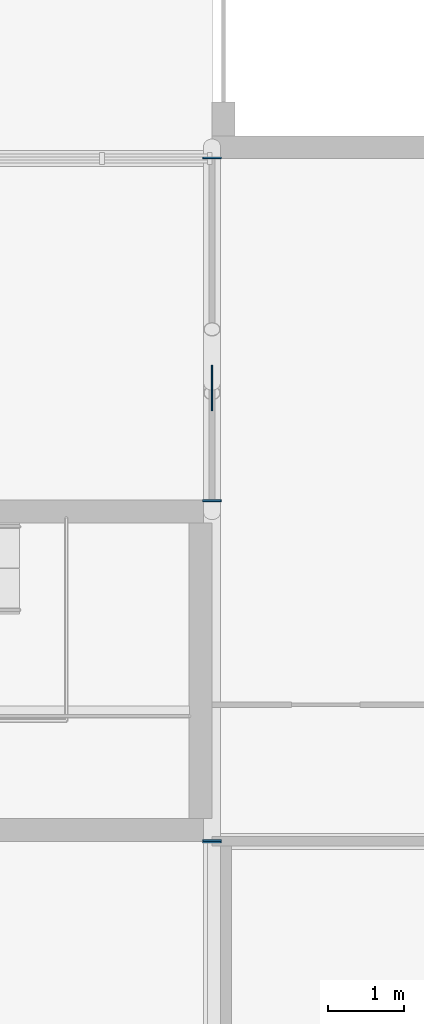
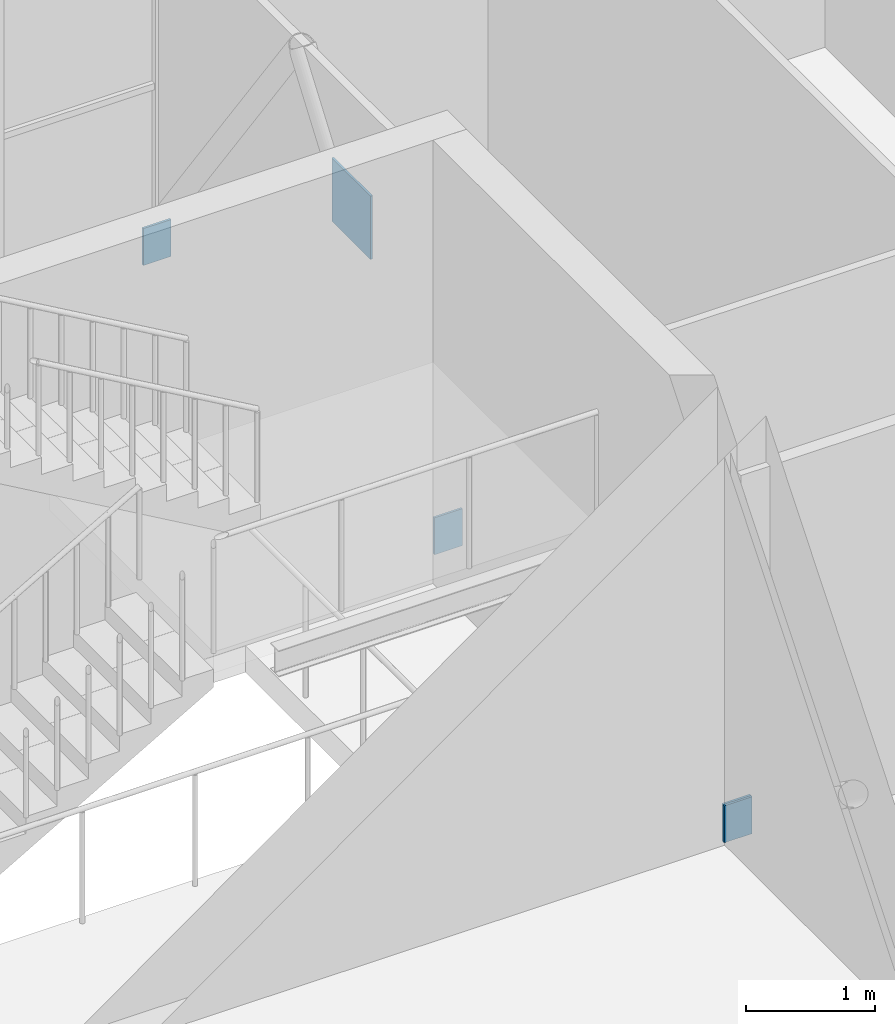
# One storey, part 42 of 57: 5 discrete accessories.
"""IFC4 building model written with IfcOpenShell, lengths in metres."""

from ifc_helpers import new_model, si_unit, direction, frame, origin, origin_2d, place, context, subcontext, project, spatial, rectangle, extrude, element, save


model = new_model("IFC4")

# Units and contexts
model_context = context("Model", 3, precision=1e-05, world=origin(), true_north=direction((0.0, 1.0)))
body_context = subcontext(model_context, "Body", "Model", "MODEL_VIEW")
ifc_project = project(units=[si_unit("LENGTHUNIT", "METRE"), si_unit("AREAUNIT", "SQUARE_METRE"), si_unit("VOLUMEUNIT", "CUBIC_METRE"), si_unit("PLANEANGLEUNIT", "RADIAN"), si_unit("MASSUNIT", "GRAM", prefix="KILO")], contexts=[model_context])

# Site, building, storey
site_placement = place(None, origin())
site = spatial("IfcSite", under=ifc_project, at=site_placement, CompositionType="ELEMENT")
building_placement = place(site_placement, origin())
building = spatial("IfcBuilding", under=site, at=building_placement, Name="Halyard Row Museum", CompositionType="ELEMENT")
storey_placement = place(building_placement, frame((0.0, 0.0, 5.0)))
storey = spatial("IfcBuildingStorey", under=building, at=storey_placement, Name="L01", CompositionType="ELEMENT", Elevation=5.0)

# Discrete accessories
discrete_accessory_placement = place(storey_placement, frame((72.0, 23.973876953125, 2.073974609375), z_axis=(0.0, 0.0, 1.0), x_axis=(1.0, 0.0, 0.0)))
element("IfcDiscreteAccessory", 1, at=discrete_accessory_placement, inside=storey, Name="Brace crossing node plate L01 X72", PredefinedType="BRACKET", context=body_context, shape_type="SweptSolid", body=[
    extrude(rectangle(XDim=0.02001953125, YDim=0.60009765625, at=origin_2d()), origin(), (0.0, 0.0, 1.0), 0.60009765625),
])
for number, where, z_axis, x_axis, name in (
    (2, (72.0, 18.0, 0.215087890625), (0.0, 1.0, 0.0), (-1.0, 0.0, 0.0), "Brace L01 X72 9-18 B cast-in plate"),
    (3, (72.0, 18.0, 0.215087890625), (0.0, -1.0, 0.0), (1.0, 0.0, 0.0), "Brace L01 X72 18-27 A cast-in plate"),
    (4, (72.0, 27.0, 0.215087890625), (0.0, 1.0, 0.0), (-1.0, 0.0, 0.0), "Brace L01 X72 18-27 B cast-in plate"),
    (5, (72.0, 22.5, 0.215087890625), (0.0, -1.0, 0.0), (1.0, 0.0, 0.0), "Brace L01 X72 22.5-27 A cast-in plate"),
):
    element("IfcDiscreteAccessory", number, at=place(storey_placement, frame(where, z_axis=z_axis, x_axis=x_axis)), inside=storey, Name=name, PredefinedType="ANCHORPLATE", context=body_context, shape_type="SweptSolid", body=[
        extrude(rectangle(XDim=0.25, YDim=0.35009765625, at=origin_2d()), origin(), (0.0, 0.0, 1.0), 0.02001953125),
    ])

save(model, "model.ifc")
